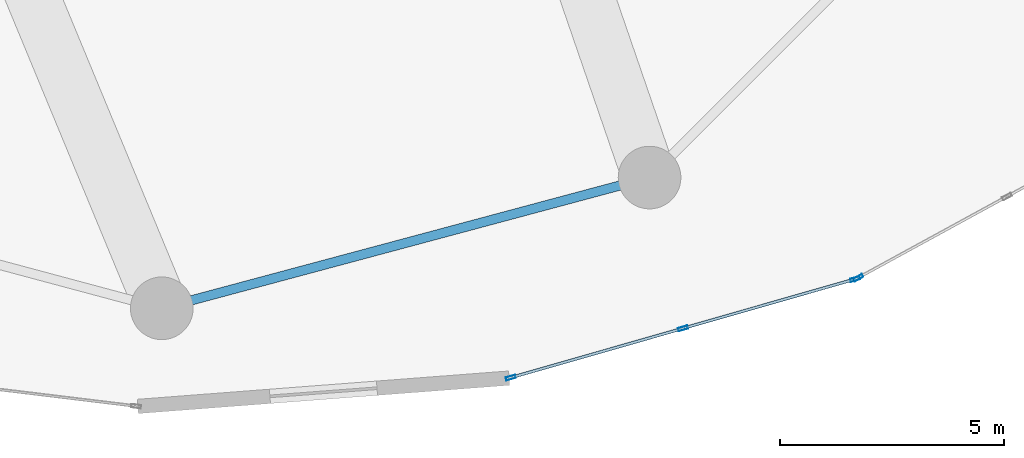
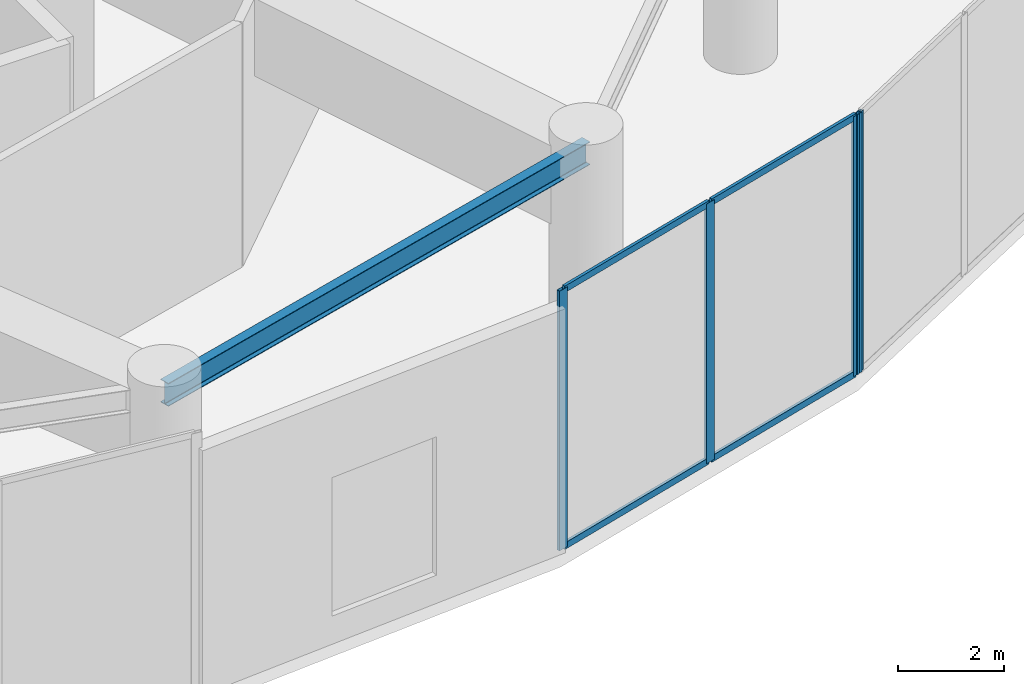
# One storey, part 9 of 28: 8 members, 1 beam, 2 elements without a shape of their own.
"""IFC4 building model written with IfcOpenShell, lengths in metres."""

from ifc_helpers import new_model, si_unit, direction, frame, origin, origin_2d, place, context, subcontext, project, spatial, hollow_rectangle, i_section, extrude, source, transform, mapped, material, layer, layer_set, material_profile, profile_set, type_object, element, aggregate, save


model = new_model("IFC4")

# Units and contexts
model_context = context("Model", 3, precision=1e-05, world=origin(), true_north=direction((0.0, 1.0)))
body_context = subcontext(model_context, "Body", "Model", "MODEL_VIEW")
ifc_project = project(units=[si_unit("LENGTHUNIT", "METRE"), si_unit("AREAUNIT", "SQUARE_METRE"), si_unit("VOLUMEUNIT", "CUBIC_METRE"), si_unit("PLANEANGLEUNIT", "RADIAN"), si_unit("MASSUNIT", "GRAM", prefix="KILO")], contexts=[model_context])

# Site, building, storey
site_placement = place(None, origin())
site = spatial("IfcSite", under=ifc_project, at=site_placement, CompositionType="ELEMENT")
building_placement = place(site_placement, origin())
building = spatial("IfcBuilding", under=site, at=building_placement, Name="Solvirekh Grand Hotel", CompositionType="ELEMENT")
storey_placement = place(building_placement, frame((0.0, 0.0, 12.60009765625)))
storey = spatial("IfcBuildingStorey", under=building, at=storey_placement, Name="L02", CompositionType="ELEMENT", Elevation=12.60009765625)

# Beam
ifc_material_1 = material(Name="Steel S355", Category="steel")
ifc_material_profile_1 = material_profile(ifc_material_1, i_section(OverallWidth=0.208984375, OverallDepth=0.532958984375, WebThickness=0.010009765625, FlangeThickness=0.014892578125, FilletRadius=0.013916015625, at=origin_2d()), Name="W530X92")
ifc_profile_set_1 = profile_set([ifc_material_profile_1], Name="Steel S355")
beam_type = type_object("IfcBeamType", Name="Spandrel_Ring_W530", PredefinedType="SPANDREL", material=ifc_profile_set_1)
beam_placement = place(storey_placement, frame((0.0, -21.800048828125, 5.372802734375), z_axis=(0.965914248703, 0.258862249378, 0.0), x_axis=(-0.258862249378, 0.965914248703, 0.0)))
element("IfcBeam", 1, at=beam_placement, inside=storey, type_object=beam_type, Name="L02 perimeter spandrel beam 10", PredefinedType="SPANDREL", context=body_context, shape_type="SweptSolid", body=[
    extrude(i_section(OverallWidth=0.208984375, OverallDepth=0.532958984375, WebThickness=0.010009765625, FlangeThickness=0.014892578125, FilletRadius=0.013916015625, at=origin_2d()), origin(), (0.0, 0.0, 1.0), 11.284423828125),
])

# Curtain wall, members
ifc_material_2 = material(Name="Anodized Bronze Aluminium 6063-T6", Category="aluminium")
ifc_layer = layer(ifc_material_2, 0.219970703125)
ifc_layer_set = layer_set([ifc_layer], Name="Anodized Bronze Aluminium 6063-T6")
curtain_wall_type = type_object("IfcCurtainWallType", Name="CW_Sys1_PodiumBronzeUnitised", PredefinedType="NOTDEFINED", material=ifc_layer_set)
curtain_wall_1_placement = place(storey_placement, origin())
curtain_wall_1 = element("IfcCurtainWall", 2, at=curtain_wall_1_placement, inside=storey, type_object=curtain_wall_type, Name="L02 unitised bronze-glass curtain wall CW-L02-C20", PredefinedType="NOTDEFINED")
ifc_material_profile_2 = material_profile(ifc_material_2, hollow_rectangle(XDim=0.06494140625, YDim=0.14990234375, WallThickness=0.0048828125, at=origin_2d()), Name="ALU RHS 150X65X5")
ifc_profile_set_2 = profile_set([ifc_material_profile_2], Name="Anodized Bronze Aluminium 6063-T6")
member_type_1 = type_object("IfcMemberType", Name="CWTransom_Sys1", PredefinedType="USERDEFINED", material=ifc_profile_set_2)
shared_shape_1 = source(origin(), body_context, "Body", "SweptSolid", [
    extrude(hollow_rectangle(XDim=0.06494140625, YDim=0.14990234375, WallThickness=0.0048828125, at=origin_2d()), origin(), (0.0, 0.0, 1.0), 3.928466796875),
])
member_1_placement = place(storey_placement, frame((7.833984375, -23.34033203125, 0.032470703125), z_axis=(0.961392511216, 0.275180739474, 0.0), x_axis=(-0.275180739474, 0.961392511216, 0.0)))
member_1 = element("IfcMember", 3, at=member_1_placement, type_object=member_type_1, Name="U01 transom 1.1", ObjectType="TRANSOM", PredefinedType="USERDEFINED", context=body_context, shape_type="MappedRepresentation", body=[
    mapped(shared_shape_1, transform((0.0, 0.0, 0.0), x_axis=(1.0, 0.0, 0.0), y_axis=(0.0, 1.0, 0.0), z_axis=(0.0, 0.0, 1.0), scale=1.0)),
])
member_2_placement = place(storey_placement, frame((7.833984375, -23.34033203125, 5.96728515625), z_axis=(0.961392511216, 0.275180739474, 0.0), x_axis=(-0.275180739474, 0.961392511216, 0.0)))
member_2 = element("IfcMember", 4, at=member_2_placement, type_object=member_type_1, Name="U01 transom 1.2", ObjectType="TRANSOM", PredefinedType="USERDEFINED", context=body_context, shape_type="MappedRepresentation", body=[
    mapped(shared_shape_1, transform((0.0, 0.0, 0.0), x_axis=(1.0, 0.0, 0.0), y_axis=(0.0, 1.0, 0.0), z_axis=(0.0, 0.0, 1.0), scale=1.0)),
])
member_3_placement = place(storey_placement, frame((11.68310546875, -22.23876953125, 0.032470703125), z_axis=(0.961392511216, 0.275180739474, 0.0), x_axis=(-0.275180739474, 0.961392511216, 0.0)))
member_3 = element("IfcMember", 5, at=member_3_placement, type_object=member_type_1, Name="U01 transom 2.1", ObjectType="TRANSOM", PredefinedType="USERDEFINED", context=body_context, shape_type="MappedRepresentation", body=[
    mapped(shared_shape_1, transform((0.0, 0.0, 0.0), x_axis=(1.0, 0.0, 0.0), y_axis=(0.0, 1.0, 0.0), z_axis=(0.0, 0.0, 1.0), scale=1.0)),
])
member_4_placement = place(storey_placement, frame((11.68310546875, -22.23876953125, 5.96728515625), z_axis=(0.961392511216, 0.275180739474, 0.0), x_axis=(-0.275180739474, 0.961392511216, 0.0)))
member_4 = element("IfcMember", 6, at=member_4_placement, type_object=member_type_1, Name="U01 transom 2.2", ObjectType="TRANSOM", PredefinedType="USERDEFINED", context=body_context, shape_type="MappedRepresentation", body=[
    mapped(shared_shape_1, transform((0.0, 0.0, 0.0), x_axis=(1.0, 0.0, 0.0), y_axis=(0.0, 1.0, 0.0), z_axis=(0.0, 0.0, 1.0), scale=1.0)),
])
ifc_material_profile_3 = material_profile(ifc_material_2, hollow_rectangle(XDim=0.074951171875, YDim=0.219970703125, WallThickness=0.006103515625, at=origin_2d()), Name="ALU RHS 220X75X6")
ifc_profile_set_3 = profile_set([ifc_material_profile_3], Name="Anodized Bronze Aluminium 6063-T6")
member_type_2 = type_object("IfcMemberType", Name="CWMullion_Sys1", PredefinedType="MULLION", material=ifc_profile_set_3)
shared_shape_2 = source(origin(), body_context, "Body", "SweptSolid", [
    extrude(hollow_rectangle(XDim=0.074951171875, YDim=0.219970703125, WallThickness=0.006103515625, at=origin_2d()), origin(), (0.0, 0.0, 1.0), 6.0),
])
member_5_placement = place(storey_placement, frame((7.798095703125, -23.3505859375, 0.0), z_axis=(0.0, 0.0, 1.0), x_axis=(-0.275178669567, 0.961393103686, 0.0)))
member_5 = element("IfcMember", 7, at=member_5_placement, type_object=member_type_2, Name="U01 mullion 1", PredefinedType="MULLION", context=body_context, shape_type="MappedRepresentation", body=[
    mapped(shared_shape_2, transform((0.0, 0.0, 0.0), x_axis=(1.0, 0.0, 0.0), y_axis=(0.0, 1.0, 0.0), z_axis=(0.0, 0.0, 1.0), scale=1.0)),
])
member_6_placement = place(storey_placement, frame((11.64697265625, -22.2490234375, 0.0), z_axis=(0.0, 0.0, 1.0), x_axis=(-0.275178669567, 0.961393103686, 0.0)))
member_6 = element("IfcMember", 8, at=member_6_placement, type_object=member_type_2, Name="U01 mullion 2", PredefinedType="MULLION", context=body_context, shape_type="MappedRepresentation", body=[
    mapped(shared_shape_2, transform((0.0, 0.0, 0.0), x_axis=(1.0, 0.0, 0.0), y_axis=(0.0, 1.0, 0.0), z_axis=(0.0, 0.0, 1.0), scale=1.0)),
])
member_7_placement = place(storey_placement, frame((15.495849609375, -21.147216796875, 0.0), z_axis=(0.0, 0.0, 1.0), x_axis=(-0.275178669567, 0.961393103686, 0.0)))
member_7 = element("IfcMember", 9, at=member_7_placement, type_object=member_type_2, Name="U01 mullion 3", PredefinedType="MULLION", context=body_context, shape_type="MappedRepresentation", body=[
    mapped(shared_shape_2, transform((0.0, 0.0, 0.0), x_axis=(1.0, 0.0, 0.0), y_axis=(0.0, 1.0, 0.0), z_axis=(0.0, 0.0, 1.0), scale=1.0)),
])
aggregate(curtain_wall_1, [member_5, member_6, member_7, member_1, member_2, member_3, member_4])

# Curtain wall, member
curtain_wall_2_placement = place(storey_placement, origin())
curtain_wall_2 = element("IfcCurtainWall", 10, at=curtain_wall_2_placement, inside=storey, type_object=curtain_wall_type, Name="L02 unitised bronze-glass curtain wall CW-L02-C21", PredefinedType="NOTDEFINED")
member_8_placement = place(storey_placement, frame((15.56494140625, -21.119140625, 0.0), z_axis=(0.0, 0.0, 1.0), x_axis=(-0.479301044448, 0.877650561893, 0.0)))
member_8 = element("IfcMember", 11, at=member_8_placement, type_object=member_type_2, Name="U01 mullion 1", PredefinedType="MULLION", context=body_context, shape_type="MappedRepresentation", body=[
    mapped(shared_shape_2, transform((0.0, 0.0, 0.0), x_axis=(1.0, 0.0, 0.0), y_axis=(0.0, 1.0, 0.0), z_axis=(0.0, 0.0, 1.0), scale=1.0)),
])
aggregate(curtain_wall_2, [member_8])

save(model, "model.ifc")
